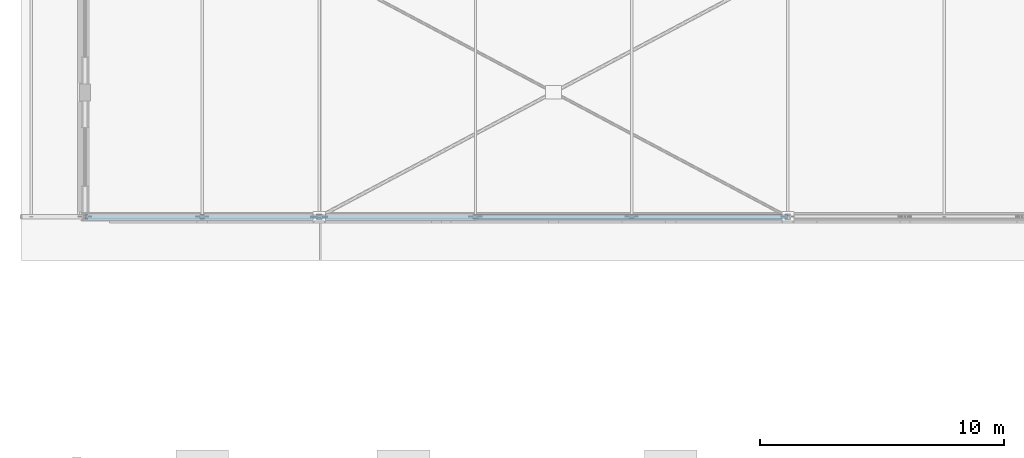
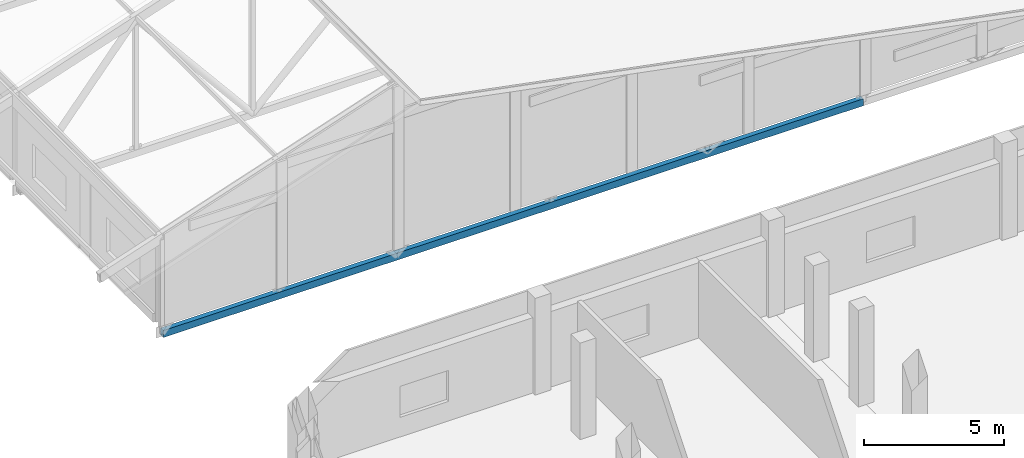
# One storey, part 21 of 200: 1 member.
"""IFC4 building model written with IfcOpenShell, lengths in metres."""

from ifc_helpers import new_model, si_unit, direction, frame, origin, origin_2d, place, context, subcontext, project, spatial, hollow_rectangle, extrude, material, material_profile, profile_set, type_object, element, save


model = new_model("IFC4")

# Units and contexts
model_context = context("Model", 3, precision=1e-05, world=origin(), true_north=direction((0.0, 1.0)))
body_context = subcontext(model_context, "Body", "Model", "MODEL_VIEW")
ifc_project = project(units=[si_unit("LENGTHUNIT", "METRE"), si_unit("AREAUNIT", "SQUARE_METRE"), si_unit("VOLUMEUNIT", "CUBIC_METRE"), si_unit("PLANEANGLEUNIT", "RADIAN"), si_unit("MASSUNIT", "GRAM", prefix="KILO")], contexts=[model_context])

# Site, building, storey
site_placement = place(None, origin())
site = spatial("IfcSite", under=ifc_project, at=site_placement, CompositionType="ELEMENT")
building_placement = place(site_placement, origin())
building = spatial("IfcBuilding", under=site, at=building_placement, Name="Vondelvale Polytechnic", CompositionType="ELEMENT")
storey_placement = place(building_placement, frame((0.0, 0.0, 13.800048828125)))
storey = spatial("IfcBuildingStorey", under=building, at=storey_placement, Name="L03", CompositionType="ELEMENT", Elevation=13.800048828125)

# Member
ifc_material = material(Name="Steel C350L0 (fy = 350 MPa)", Category="steel")
ifc_material_profile = material_profile(ifc_material, hollow_rectangle(XDim=0.199951171875, YDim=0.300048828125, WallThickness=0.008056640625, at=origin_2d()), Name="300x200x8.0RHS")
ifc_profile_set = profile_set([ifc_material_profile], Name="Steel C350L0 (fy = 350 MPa)")
member_type = type_object("IfcMemberType", Name="ROOF TRUSS BOT CHORD 300RHS", PredefinedType="CHORD", material=ifc_profile_set)
member_placement = place(storey_placement, frame((0.0, 51.0, -0.420166015625), z_axis=(1.0, 0.0, 0.0), x_axis=(0.0, 1.0, 0.0)))
element("IfcMember", 1, at=member_placement, inside=storey, type_object=member_type, Name="ROOF TRUSS TR-01 bottom chord 1", PredefinedType="CHORD", context=body_context, shape_type="SweptSolid", body=[
    extrude(hollow_rectangle(XDim=0.199951171875, YDim=0.300048828125, WallThickness=0.008056640625, at=origin_2d()), origin(), (0.0, 0.0, 1.0), 28.800048828125),
])

save(model, "model.ifc")
